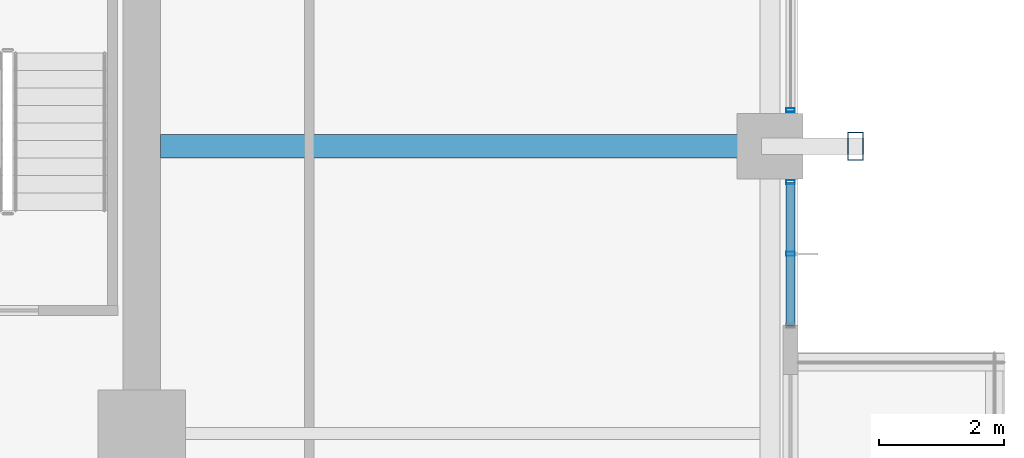
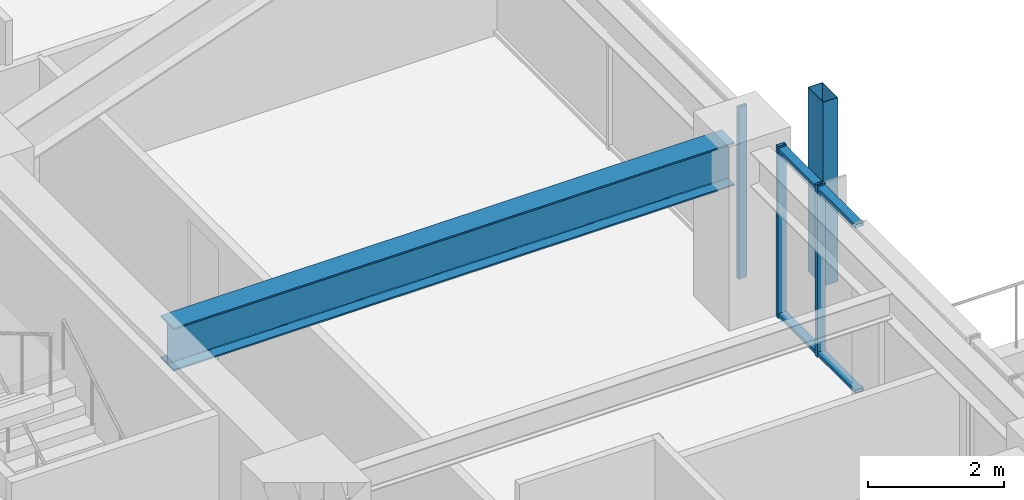
# One storey, part 16 of 37: 6 members, 1 beam, 2 elements without a shape of their own.
"""IFC4 building model written with IfcOpenShell, lengths in metres."""

import ifcopenshell
import ifcopenshell.guid

model = None  # the IFC model being written
_history = None  # IfcOwnerHistory: only IFC2X3 demands one
_inside = {}  # id of a spatial element -> (the spatial element, [elements in it])
_under = {}  # id of a project, library or spatial element -> (it, [spatial elements below it])
_declared = {}  # id of a project -> (the project, [libraries it declares])
_typed = {}  # id of a type object -> (the type object, [elements of that type])
_made_of = {}  # id of a material, layer set ... -> (it, [elements and type objects made of it])


def new_model(schema):
    """Start an empty IFC model of exactly this schema.

    Asked for "IFC4X3", IfcOpenShell would pick the latest addendum, in which some entities
    have other attributes; the version numbers below select the first issue.
    IFC2X3 requires an IfcOwnerHistory on every rooted entity: one is made here for all.
    """
    global model, _history
    if schema == "IFC4X3":
        model = ifcopenshell.file(schema_version=(4, 3, 0, 0))
    else:
        model = ifcopenshell.file(schema=schema)
    _inside.clear()
    _under.clear()
    _declared.clear()
    _typed.clear()
    _made_of.clear()
    _history = None
    if model.schema == "IFC2X3":
        org = make("IfcOrganization", Name="unknown")
        user = make(
            "IfcPersonAndOrganization",
            ThePerson=make("IfcPerson", FamilyName="unknown"),
            TheOrganization=org,
        )
        app = make(
            "IfcApplication",
            ApplicationDeveloper=org,
            Version="unknown",
            ApplicationFullName="unknown",
            ApplicationIdentifier="unknown",
        )
        _history = make(
            "IfcOwnerHistory",
            OwningUser=user,
            OwningApplication=app,
            ChangeAction="ADDED",
            CreationDate=0,
        )
    return model


def make(cls, **values):
    """One entity of the class cls with the attributes given. An attribute that is None is left unset."""
    return model.create_entity(
        cls, **{name: value for name, value in values.items() if value is not None}
    )


def rooted(cls, **values):
    """An entity with a GlobalId (a new one), such as an element, a storey or a relation."""
    return make(cls, GlobalId=ifcopenshell.guid.new(), OwnerHistory=_history, **values)


def si_unit(unit_type, name, prefix=None):
    """IfcSIUnit, for example si_unit("LENGTHUNIT", "METRE", prefix="MILLI")."""
    return make("IfcSIUnit", UnitType=unit_type, Prefix=prefix, Name=name)


def assignment(units):
    """IfcUnitAssignment: the units of a project."""
    return None if units is None else make("IfcUnitAssignment", Units=units)


def point(xyz):
    """IfcCartesianPoint."""
    return None if xyz is None else make("IfcCartesianPoint", Coordinates=xyz)


def direction(xyz):
    """IfcDirection."""
    return None if xyz is None else make("IfcDirection", DirectionRatios=xyz)


def frame(location, z_axis=None, x_axis=None):
    """IfcAxis2Placement3D, a coordinate frame: its origin and axes. An axis left out is left unset."""
    return make(
        "IfcAxis2Placement3D",
        Location=point(location),
        Axis=direction(z_axis),
        RefDirection=direction(x_axis),
    )


def frame_2d(location, x_axis=None):
    """IfcAxis2Placement2D, a coordinate frame in the plane: its origin and x axis."""
    return make(
        "IfcAxis2Placement2D", Location=point(location), RefDirection=direction(x_axis)
    )


def origin():
    """The frame at (0, 0, 0) with its axes left unset."""
    return frame((0.0, 0.0, 0.0))


def origin_2d():
    """The frame at (0, 0) in the plane with its x axis left unset."""
    return frame_2d((0.0, 0.0))


def place(relative_to, where):
    """IfcLocalPlacement: puts the frame where relative to a parent placement (None: the world)."""
    return make(
        "IfcLocalPlacement", PlacementRelTo=relative_to, RelativePlacement=where
    )


def context(
    kind, dimensions, precision=None, world=None, true_north=None, identifier=None
):
    """IfcGeometricRepresentationContext, for example the 3D "Model" context."""
    return make(
        "IfcGeometricRepresentationContext",
        ContextIdentifier=identifier,
        ContextType=kind,
        CoordinateSpaceDimension=dimensions,
        Precision=precision,
        WorldCoordinateSystem=world,
        TrueNorth=true_north,
    )


def subcontext(parent, identifier, kind, view, scale=None):
    """IfcGeometricRepresentationSubContext, for example "Body" below "Model"."""
    return make(
        "IfcGeometricRepresentationSubContext",
        ContextIdentifier=identifier,
        ContextType=kind,
        ParentContext=parent,
        TargetScale=scale,
        TargetView=view,
    )


def project(units=None, contexts=None):
    """IfcProject with its units and contexts."""
    return rooted(
        "IfcProject",
        Name="project",
        RepresentationContexts=contexts,
        UnitsInContext=assignment(units),
    )


def spatial(cls, under=None, at=None, **own):
    """A site, building, storey or space (cls), placed at a placement, below another one or the project."""
    s = rooted(cls, ObjectPlacement=at, **own)
    if under is not None:
        _under.setdefault(under.id(), (under, []))[1].append(s)
    return s


def profile(cls, at=None, kind="AREA", **sizes):
    """A parametric profile (cls). Its sizes go by their IFC names, for example OverallWidth=200.0."""
    return make(cls, ProfileType=kind, Position=at, **sizes)


def hollow_rectangle(**sizes):
    """IfcRectangleHollowProfileDef."""
    return profile("IfcRectangleHollowProfileDef", **sizes)


def i_section(**sizes):
    """IfcIShapeProfileDef."""
    return profile("IfcIShapeProfileDef", **sizes)


def extrude(swept, where, along, depth):
    """IfcExtrudedAreaSolid: the profile swept, set in the frame where, extruded along a direction by depth."""
    return make(
        "IfcExtrudedAreaSolid",
        SweptArea=swept,
        Position=where,
        ExtrudedDirection=direction(along),
        Depth=depth,
    )


def shape(context_of_items, identifier, shape_type, items):
    """IfcShapeRepresentation: the items that make up one representation, for example the "Body"."""
    return make(
        "IfcShapeRepresentation",
        ContextOfItems=context_of_items,
        RepresentationIdentifier=identifier,
        RepresentationType=shape_type,
        Items=items,
    )


def material(Name=None, Category=None):
    """IfcMaterial."""
    return make("IfcMaterial", Name=Name, Category=Category)


def material_profile(
    of_material, cross_section, Name=None, Category=None, Priority=None
):
    """IfcMaterialProfile: a cross section and its material."""
    return make(
        "IfcMaterialProfile",
        Name=Name,
        Material=of_material,
        Profile=cross_section,
        Priority=Priority,
        Category=Category,
    )


def profile_set(profiles, Name=None, composite=None):
    """IfcMaterialProfileSet."""
    return make(
        "IfcMaterialProfileSet",
        Name=Name,
        MaterialProfiles=profiles,
        CompositeProfile=composite,
    )


def made_of(thing, what):
    """Note that an element or type object is made of a material, layer set ...; save() writes the relation."""
    if what is not None:
        _made_of.setdefault(what.id(), (what, []))[1].append(thing)
    return thing


def type_object(cls, material=None, **own):
    """A type object (cls), such as IfcWallType, which elements share."""
    return made_of(rooted(cls, **own), material)


def element(
    cls,
    number,
    at=None,
    inside=None,
    cuts=None,
    type_object=None,
    material=None,
    context=None,
    identifier="Body",
    shape_type=None,
    held_by="IfcProductDefinitionShape",
    body=None,
    shapes=None,
    **own,
):
    """One element of the class cls, such as IfcWall. Its Tag is "e" and its number.

    at: its placement. inside: the storey or other place that contains it. cuts: it is an
    opening in that element (IfcRelVoidsElement). A single representation is given by context,
    identifier, shape_type and body (its items); several are given by shapes. held_by: the class
    of the entity that holds the representations. save() writes the other relations.
    """
    e = rooted(cls, Tag="e%d" % number, ObjectPlacement=at, **own)
    if body is not None:
        shapes = [shape(context, identifier, shape_type, body)]
    if shapes is not None:
        e.Representation = make(held_by, Representations=shapes)
    if inside is not None:
        _inside.setdefault(inside.id(), (inside, []))[1].append(e)
    if cuts is not None:
        rooted(
            "IfcRelVoidsElement", RelatingBuildingElement=cuts, RelatedOpeningElement=e
        )
    if type_object is not None:
        _typed.setdefault(type_object.id(), (type_object, []))[1].append(e)
    return made_of(e, material)


def aggregate(whole, parts):
    """IfcRelAggregates: a whole, such as a stair, and the parts it consists of."""
    return rooted("IfcRelAggregates", RelatingObject=whole, RelatedObjects=parts)


def save(model, path):
    """Write the relations noted so far, then the file.

    IfcRelAggregates (storeys below a building ...), IfcRelContainedInSpatialStructure (elements
    in a storey), IfcRelDefinesByType, IfcRelAssociatesMaterial and IfcRelDeclares: one each for
    every whole, place, type object, material and project.
    """
    for whole, parts in _under.values():
        aggregate(whole, parts)
    for where, things in _inside.values():
        rooted(
            "IfcRelContainedInSpatialStructure",
            RelatedElements=things,
            RelatingStructure=where,
        )
    for kind, things in _typed.values():
        rooted("IfcRelDefinesByType", RelatedObjects=things, RelatingType=kind)
    for what, things in _made_of.values():
        rooted("IfcRelAssociatesMaterial", RelatedObjects=things, RelatingMaterial=what)
    for by, libraries in _declared.values():
        rooted("IfcRelDeclares", RelatingContext=by, RelatedDefinitions=libraries)
    model.write(path)


model = new_model("IFC4")

# Units and contexts
model_context = context("Model", 3, precision=1e-05, world=origin(), true_north=direction((0.0, 1.0)))
body_context = subcontext(model_context, "Body", "Model", "MODEL_VIEW")
ifc_project = project(units=[si_unit("LENGTHUNIT", "METRE"), si_unit("AREAUNIT", "SQUARE_METRE"), si_unit("VOLUMEUNIT", "CUBIC_METRE"), si_unit("PLANEANGLEUNIT", "RADIAN"), si_unit("MASSUNIT", "GRAM", prefix="KILO")], contexts=[model_context])

# Site, building, storey
site_placement = place(None, origin())
site = spatial("IfcSite", under=ifc_project, at=site_placement, CompositionType="ELEMENT")
building_placement = place(site_placement, origin())
building = spatial("IfcBuilding", under=site, at=building_placement, Name="Kolvaren Belvedere", CompositionType="ELEMENT")
storey_placement = place(building_placement, frame((0.0, 0.0, 82.10009765625)))
storey = spatial("IfcBuildingStorey", under=building, at=storey_placement, Name="L23", CompositionType="ELEMENT", Elevation=82.10009765625)

# Beam
ifc_material_1 = material(Name="Structural steel ASTM A992 Grade 50", Category="steel")
ifc_material_profile_1 = material_profile(ifc_material_1, i_section(OverallWidth=0.381103515625, OverallDepth=0.77294921875, WebThickness=0.0166015625, FlangeThickness=0.027099609375, FilletRadius=0.02392578125, at=origin_2d()), Name="W30X173")
ifc_profile_set_1 = profile_set([ifc_material_profile_1], Name="Structural steel ASTM A992 Grade 50")
beam_type = type_object("IfcBeamType", Name="BM-GIRD-W30X173", PredefinedType="BEAM", material=ifc_profile_set_1)
beam_placement = place(storey_placement, frame((10.199951171875, 4.60009765625, 2.693359375), z_axis=(1.0, 0.0, 0.0), x_axis=(0.0, 1.0, 0.0)))
element("IfcBeam", 1, at=beam_placement, inside=storey, type_object=beam_type, Name="L23 East Radial Girder P", PredefinedType="BEAM", context=body_context, shape_type="SweptSolid", body=[
    extrude(i_section(OverallWidth=0.381103515625, OverallDepth=0.77294921875, WebThickness=0.0166015625, FlangeThickness=0.027099609375, FilletRadius=0.02392578125, at=origin_2d()), origin(), (0.0, 0.0, 1.0), 9.513916015625),
])

# Curtain wall, member
ifc_material_2 = material(Name="Anodised pale-metal aluminium AA 6063-T6", Category="aluminium")
curtain_wall_type = type_object("IfcCurtainWallType", Name="CW-Z2-MID", PredefinedType="NOTDEFINED", material=ifc_material_2)
curtain_wall_1_placement = place(storey_placement, origin())
curtain_wall_1 = element("IfcCurtainWall", 2, at=curtain_wall_1_placement, inside=storey, type_object=curtain_wall_type, Name="L23 Unitised Curtain Wall FCW-L23-E1-B1", PredefinedType="NOTDEFINED")
ifc_material_3 = material(Name="Anodised pale-metal aluminium AA 6063-T6", Category="aluminium")
ifc_material_profile_2 = material_profile(ifc_material_3, hollow_rectangle(XDim=0.06494140625, YDim=0.139892578125, WallThickness=0.00390625, at=origin_2d()), Name="ALU-MUL-140X65")
ifc_profile_set_2 = profile_set([ifc_material_profile_2], Name="Anodised pale-metal aluminium AA 6063-T6")
member_type_1 = type_object("IfcMemberType", Name="CW-MUL-140", PredefinedType="MULLION", material=ifc_profile_set_2)
member_1_placement = place(storey_placement, frame((20.280029296875, 5.177490234375, 0.0), z_axis=(0.0, 0.0, 1.0), x_axis=(0.0, 1.0, 0.0)))
member_1 = element("IfcMember", 3, at=member_1_placement, type_object=member_type_1, Name="FCW-L23-E1-B1 Unitised Mullion 3", PredefinedType="MULLION", context=body_context, shape_type="SweptSolid", body=[
    extrude(hollow_rectangle(XDim=0.06494140625, YDim=0.139892578125, WallThickness=0.00390625, at=origin_2d()), origin(), (0.0, 0.0, 1.0), 3.079833984375),
])
aggregate(curtain_wall_1, [member_1])

# Curtain wall, members
curtain_wall_2_placement = place(storey_placement, origin())
curtain_wall_2 = element("IfcCurtainWall", 4, at=curtain_wall_2_placement, inside=storey, type_object=curtain_wall_type, Name="L23 Unitised Curtain Wall FCW-L23-E1-B2", PredefinedType="NOTDEFINED")
member_2_placement = place(storey_placement, frame((20.280029296875, 4.0224609375, 0.0), z_axis=(0.0, 0.0, 1.0), x_axis=(0.0, 1.0, 0.0)))
member_2 = element("IfcMember", 5, at=member_2_placement, type_object=member_type_1, Name="FCW-L23-E1-B2 Unitised Mullion 1", PredefinedType="MULLION", context=body_context, shape_type="SweptSolid", body=[
    extrude(hollow_rectangle(XDim=0.06494140625, YDim=0.139892578125, WallThickness=0.00390625, at=origin_2d()), origin(), (0.0, 0.0, 1.0), 3.079833984375),
])
member_3_placement = place(storey_placement, frame((20.280029296875, 2.876220703125, 0.0), z_axis=(0.0, 0.0, 1.0), x_axis=(0.0, 1.0, 0.0)))
member_3 = element("IfcMember", 6, at=member_3_placement, type_object=member_type_1, Name="FCW-L23-E1-B2 Unitised Mullion 2", PredefinedType="MULLION", context=body_context, shape_type="SweptSolid", body=[
    extrude(hollow_rectangle(XDim=0.06494140625, YDim=0.139892578125, WallThickness=0.00390625, at=origin_2d()), origin(), (0.0, 0.0, 1.0), 3.079833984375),
])
ifc_material_4 = material(Name="Anodised pale-metal aluminium AA 6063-T6", Category="aluminium")
ifc_material_profile_3 = material_profile(ifc_material_4, hollow_rectangle(XDim=0.06005859375, YDim=0.139892578125, WallThickness=0.00390625, at=origin_2d()), Name="ALU-TRN-140X60")
ifc_profile_set_3 = profile_set([ifc_material_profile_3], Name="Anodised pale-metal aluminium AA 6063-T6")
member_type_2 = type_object("IfcMemberType", Name="CW-TRN-140", PredefinedType="USERDEFINED", material=ifc_profile_set_3)
member_4_placement = place(storey_placement, frame((20.280029296875, 4.0224609375, 0.059814453125), z_axis=(0.0, -1.0, 0.0), x_axis=(0.0, 0.0, 1.0)))
member_4 = element("IfcMember", 7, at=member_4_placement, type_object=member_type_2, Name="FCW-L23-E1-B2 Sill Transom", ObjectType="TRANSOM", PredefinedType="USERDEFINED", context=body_context, shape_type="SweptSolid", body=[
    extrude(hollow_rectangle(XDim=0.06005859375, YDim=0.139892578125, WallThickness=0.00390625, at=origin_2d()), origin(), (0.0, 0.0, 1.0), 2.29248046875),
])
member_5_placement = place(storey_placement, frame((20.280029296875, 4.0224609375, 3.02001953125), z_axis=(0.0, -1.0, 0.0), x_axis=(0.0, 0.0, 1.0)))
member_5 = element("IfcMember", 8, at=member_5_placement, type_object=member_type_2, Name="FCW-L23-E1-B2 Head Transom", ObjectType="TRANSOM", PredefinedType="USERDEFINED", context=body_context, shape_type="SweptSolid", body=[
    extrude(hollow_rectangle(XDim=0.06005859375, YDim=0.139892578125, WallThickness=0.00390625, at=origin_2d()), origin(), (0.0, 0.0, 1.0), 2.29248046875),
])
aggregate(curtain_wall_2, [member_2, member_3, member_4, member_5])

# Member
ifc_material_5 = material(Name="Anodised pale-metal aluminium AA 6063-T6", Category="aluminium")
ifc_material_profile_4 = material_profile(ifc_material_5, hollow_rectangle(XDim=0.25, YDim=0.449951171875, WallThickness=0.008544921875, at=origin_2d()), Name="ALU-PF-450X250")
ifc_profile_set_4 = profile_set([ifc_material_profile_4], Name="Anodised pale-metal aluminium AA 6063-T6")
member_type_3 = type_object("IfcMemberType", Name="PF-FRAME-450", PredefinedType="USERDEFINED", material=ifc_profile_set_4)
member_6_placement = place(storey_placement, frame((21.320068359375, 4.60009765625, 0.0), z_axis=(0.0, 0.0, 1.0), x_axis=(1.0, 0.0, 0.0)))
element("IfcMember", 9, at=member_6_placement, inside=storey, type_object=member_type_3, Name="L23 Outboard Picture-Frame Vertical E1", ObjectType="PICTURE FRAME FIN", PredefinedType="USERDEFINED", context=body_context, shape_type="SweptSolid", body=[
    extrude(hollow_rectangle(XDim=0.25, YDim=0.449951171875, WallThickness=0.008544921875, at=origin_2d()), origin(), (0.0, 0.0, 1.0), 3.2998046875),
])

save(model, "model.ifc")
